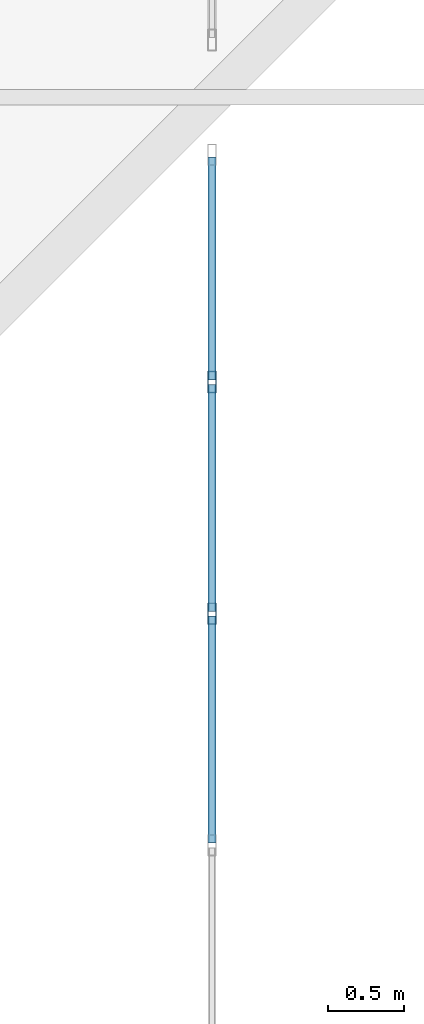
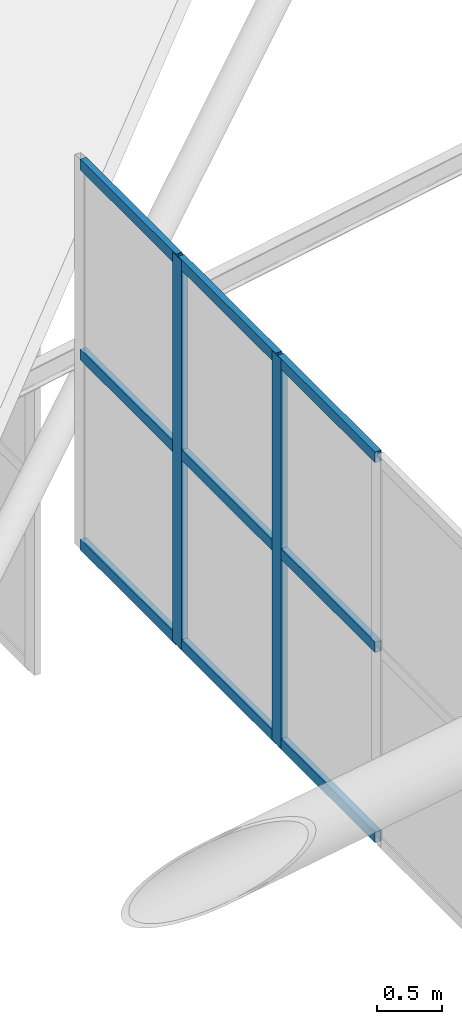
# One storey, part 199 of 397: 11 members, 1 element without a shape of its own.
"""IFC4 building model written with IfcOpenShell, lengths in metres."""

from ifc_helpers import new_model, si_unit, direction, frame, origin, origin_2d, place, context, subcontext, project, spatial, hollow_rectangle, extrude, material, material_profile, profile_set, type_object, element, aggregate, save


model = new_model("IFC4")

# Units and contexts
model_context = context("Model", 3, precision=1e-05, world=origin(), true_north=direction((0.0, 1.0)))
body_context = subcontext(model_context, "Body", "Model", "MODEL_VIEW")
ifc_project = project(units=[si_unit("LENGTHUNIT", "METRE"), si_unit("AREAUNIT", "SQUARE_METRE"), si_unit("VOLUMEUNIT", "CUBIC_METRE"), si_unit("PLANEANGLEUNIT", "RADIAN"), si_unit("MASSUNIT", "GRAM", prefix="KILO")], contexts=[model_context])

# Site, building, storey
site_placement = place(None, origin())
site = spatial("IfcSite", under=ifc_project, at=site_placement, CompositionType="ELEMENT")
building_placement = place(site_placement, origin())
building = spatial("IfcBuilding", under=site, at=building_placement, Name="Qandorah Velis Arena", CompositionType="ELEMENT")
storey_placement = place(building_placement, frame((0.0, 0.0, 27.5)))
storey = spatial("IfcBuildingStorey", under=building, at=storey_placement, Name="RF", CompositionType="ELEMENT", Elevation=27.5)

# Curtain wall, members
ifc_material_1 = material(Name="Solar-control low-E double glazing", Category="glass")
curtain_wall_type = type_object("IfcCurtainWallType", Name="ARC-CW-SYS11", PredefinedType="USERDEFINED", material=ifc_material_1)
curtain_wall_placement = place(storey_placement, origin())
curtain_wall = element("IfcCurtainWall", 1, at=curtain_wall_placement, inside=storey, type_object=curtain_wall_type, Name="Unitised curtain wall MON-1-5", ObjectType="UNITISED CURTAIN WALL", PredefinedType="USERDEFINED")
ifc_material_2 = material(Name="Champagne-bronze anodized aluminium 6063-T6", Category="aluminium")
ifc_material_profile_1 = material_profile(ifc_material_2, hollow_rectangle(XDim=0.054931640625, YDim=0.139892578125, WallThickness=0.0029296875, at=origin_2d()), Name="ALU MULLION 55x140")
ifc_profile_set_1 = profile_set([ifc_material_profile_1], Name="Champagne-bronze anodized aluminium 6063-T6")
member_type_1 = type_object("IfcMemberType", Name="ARC-CWM-140", PredefinedType="MULLION", material=ifc_profile_set_1)
member_1_placement = place(storey_placement, frame((21.60009765625, 90.20556640625, 5.13427734375), z_axis=(0.0, 0.0, 1.0), x_axis=(-1.0, 0.0, 0.0)))
member_1 = element("IfcMember", 2, at=member_1_placement, type_object=member_type_1, Name="CW11 mullion 8", PredefinedType="MULLION", context=body_context, shape_type="SweptSolid", body=[
    extrude(hollow_rectangle(XDim=0.054931640625, YDim=0.139892578125, WallThickness=0.0029296875, at=origin_2d()), origin(), (0.0, 0.0, 1.0), 3.630126953125),
])
member_2_placement = place(storey_placement, frame((21.60009765625, 91.727783203125, 5.13427734375), z_axis=(0.0, 0.0, 1.0), x_axis=(-1.0, 0.0, 0.0)))
member_2 = element("IfcMember", 3, at=member_2_placement, type_object=member_type_1, Name="CW11 mullion 9", PredefinedType="MULLION", context=body_context, shape_type="SweptSolid", body=[
    extrude(hollow_rectangle(XDim=0.054931640625, YDim=0.139892578125, WallThickness=0.0029296875, at=origin_2d()), origin(), (0.0, 0.0, 1.0), 3.630126953125),
])
ifc_material_profile_2 = material_profile(ifc_material_2, hollow_rectangle(XDim=0.054931640625, YDim=0.10009765625, WallThickness=0.0029296875, at=origin_2d()), Name="ALU TRANSOM 55x100")
ifc_profile_set_2 = profile_set([ifc_material_profile_2], Name="Champagne-bronze anodized aluminium 6063-T6")
member_type_2 = type_object("IfcMemberType", Name="ARC-CWT-100", PredefinedType="USERDEFINED", material=ifc_profile_set_2)
member_3_placement = place(storey_placement, frame((21.60009765625, 88.69873046875, 5.1767578125), z_axis=(0.0, 1.0, 0.0), x_axis=(-1.0, 0.0, 0.0)))
member_3 = element("IfcMember", 4, at=member_3_placement, type_object=member_type_2, Name="CW11 transom 7.1", ObjectType="TRANSOM", PredefinedType="USERDEFINED", context=body_context, shape_type="SweptSolid", body=[
    extrude(hollow_rectangle(XDim=0.054931640625, YDim=0.10009765625, WallThickness=0.0029296875, at=origin_2d()), origin(), (0.0, 0.0, 1.0), 1.491455078125),
])
member_4_placement = place(storey_placement, frame((21.60009765625, 88.69873046875, 6.94921875), z_axis=(0.0, 1.0, 0.0), x_axis=(-1.0, 0.0, 0.0)))
member_4 = element("IfcMember", 5, at=member_4_placement, type_object=member_type_2, Name="CW11 transom 7.2", ObjectType="TRANSOM", PredefinedType="USERDEFINED", context=body_context, shape_type="SweptSolid", body=[
    extrude(hollow_rectangle(XDim=0.054931640625, YDim=0.10009765625, WallThickness=0.0029296875, at=origin_2d()), origin(), (0.0, 0.0, 1.0), 1.491455078125),
])
member_5_placement = place(storey_placement, frame((21.60009765625, 88.69873046875, 8.7216796875), z_axis=(0.0, 1.0, 0.0), x_axis=(-1.0, 0.0, 0.0)))
member_5 = element("IfcMember", 6, at=member_5_placement, type_object=member_type_2, Name="CW11 transom 7.3", ObjectType="TRANSOM", PredefinedType="USERDEFINED", context=body_context, shape_type="SweptSolid", body=[
    extrude(hollow_rectangle(XDim=0.054931640625, YDim=0.10009765625, WallThickness=0.0029296875, at=origin_2d()), origin(), (0.0, 0.0, 1.0), 1.491455078125),
])
member_6_placement = place(storey_placement, frame((21.60009765625, 90.22119140625, 5.1767578125), z_axis=(0.0, 1.0, 0.0), x_axis=(-1.0, 0.0, 0.0)))
member_6 = element("IfcMember", 7, at=member_6_placement, type_object=member_type_2, Name="CW11 transom 8.1", ObjectType="TRANSOM", PredefinedType="USERDEFINED", context=body_context, shape_type="SweptSolid", body=[
    extrude(hollow_rectangle(XDim=0.054931640625, YDim=0.10009765625, WallThickness=0.0029296875, at=origin_2d()), origin(), (0.0, 0.0, 1.0), 1.4912109375),
])
member_7_placement = place(storey_placement, frame((21.60009765625, 90.22119140625, 6.94921875), z_axis=(0.0, 1.0, 0.0), x_axis=(-1.0, 0.0, 0.0)))
member_7 = element("IfcMember", 8, at=member_7_placement, type_object=member_type_2, Name="CW11 transom 8.2", ObjectType="TRANSOM", PredefinedType="USERDEFINED", context=body_context, shape_type="SweptSolid", body=[
    extrude(hollow_rectangle(XDim=0.054931640625, YDim=0.10009765625, WallThickness=0.0029296875, at=origin_2d()), origin(), (0.0, 0.0, 1.0), 1.4912109375),
])
member_8_placement = place(storey_placement, frame((21.60009765625, 90.22119140625, 8.7216796875), z_axis=(0.0, 1.0, 0.0), x_axis=(-1.0, 0.0, 0.0)))
member_8 = element("IfcMember", 9, at=member_8_placement, type_object=member_type_2, Name="CW11 transom 8.3", ObjectType="TRANSOM", PredefinedType="USERDEFINED", context=body_context, shape_type="SweptSolid", body=[
    extrude(hollow_rectangle(XDim=0.054931640625, YDim=0.10009765625, WallThickness=0.0029296875, at=origin_2d()), origin(), (0.0, 0.0, 1.0), 1.4912109375),
])
member_9_placement = place(storey_placement, frame((21.60009765625, 91.743408203125, 5.1767578125), z_axis=(0.0, 1.0, 0.0), x_axis=(-1.0, 0.0, 0.0)))
member_9 = element("IfcMember", 10, at=member_9_placement, type_object=member_type_2, Name="CW11 transom 9.1", ObjectType="TRANSOM", PredefinedType="USERDEFINED", context=body_context, shape_type="SweptSolid", body=[
    extrude(hollow_rectangle(XDim=0.054931640625, YDim=0.10009765625, WallThickness=0.0029296875, at=origin_2d()), origin(), (0.0, 0.0, 1.0), 1.463623046875),
])
member_10_placement = place(storey_placement, frame((21.60009765625, 91.743408203125, 6.94921875), z_axis=(0.0, 1.0, 0.0), x_axis=(-1.0, 0.0, 0.0)))
member_10 = element("IfcMember", 11, at=member_10_placement, type_object=member_type_2, Name="CW11 transom 9.2", ObjectType="TRANSOM", PredefinedType="USERDEFINED", context=body_context, shape_type="SweptSolid", body=[
    extrude(hollow_rectangle(XDim=0.054931640625, YDim=0.10009765625, WallThickness=0.0029296875, at=origin_2d()), origin(), (0.0, 0.0, 1.0), 1.463623046875),
])
member_11_placement = place(storey_placement, frame((21.60009765625, 91.743408203125, 8.7216796875), z_axis=(0.0, 1.0, 0.0), x_axis=(-1.0, 0.0, 0.0)))
member_11 = element("IfcMember", 12, at=member_11_placement, type_object=member_type_2, Name="CW11 transom 9.3", ObjectType="TRANSOM", PredefinedType="USERDEFINED", context=body_context, shape_type="SweptSolid", body=[
    extrude(hollow_rectangle(XDim=0.054931640625, YDim=0.10009765625, WallThickness=0.0029296875, at=origin_2d()), origin(), (0.0, 0.0, 1.0), 1.463623046875),
])
aggregate(curtain_wall, [member_1, member_2, member_3, member_4, member_5, member_6, member_7, member_8, member_9, member_10, member_11])

save(model, "model.ifc")
